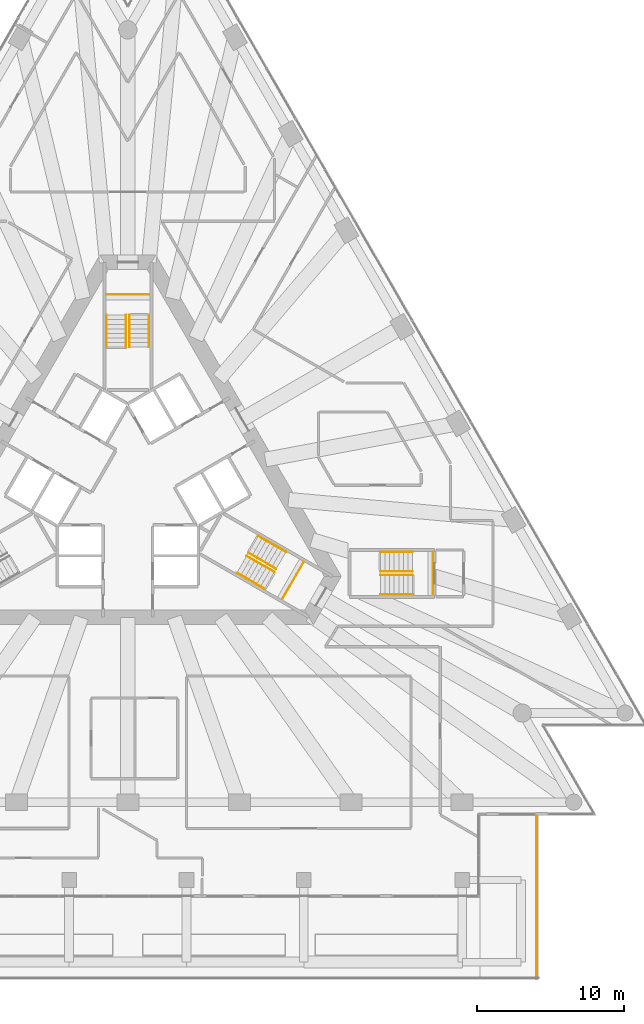
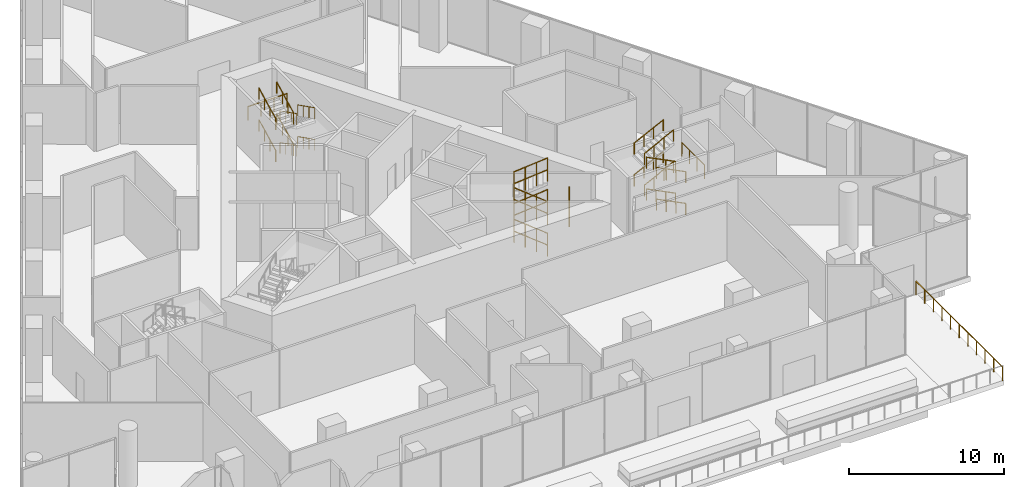
# One storey, part 32 of 32: 28 railings, 3 elements without a shape of their own.
"""IFC4 building model written with IfcOpenShell, lengths in metres."""

from ifc_helpers import new_model, si_unit, direction, frame, origin, origin_2d, place, context, subcontext, project, spatial, circle, extrude, material, type_object, element, aggregate, save


model = new_model("IFC4")

# Units and contexts
model_context = context("Model", 3, precision=1e-05, world=origin(), true_north=direction((0.0, 1.0)))
body_context = subcontext(model_context, "Body", "Model", "MODEL_VIEW")
ifc_project = project(units=[si_unit("LENGTHUNIT", "METRE"), si_unit("AREAUNIT", "SQUARE_METRE"), si_unit("VOLUMEUNIT", "CUBIC_METRE"), si_unit("PLANEANGLEUNIT", "RADIAN"), si_unit("MASSUNIT", "GRAM", prefix="KILO")], contexts=[model_context])

# Site, building, storey
site_placement = place(None, origin())
site = spatial("IfcSite", under=ifc_project, at=site_placement, CompositionType="ELEMENT")
building_placement = place(site_placement, origin())
building = spatial("IfcBuilding", under=site, at=building_placement, Name="Triada Interchange Tower", CompositionType="ELEMENT")
storey_placement = place(building_placement, frame((0.0, 0.0, 25.300048828125)))
storey = spatial("IfcBuildingStorey", under=building, at=storey_placement, Name="L04", CompositionType="ELEMENT", Elevation=25.300048828125)

# Stair, railing
ifc_material_1 = material(Name="Concrete C35/45", Category="concrete")
stair_type = type_object("IfcStairType", Name="HALF TURN STAIR 1400", PredefinedType="HALF_TURN_STAIR", material=ifc_material_1)
stair_1_placement = place(storey_placement, origin())
stair_1 = element("IfcStair", 1, at=stair_1_placement, inside=storey, type_object=stair_type, Name="Exit stair S04-1", PredefinedType="HALF_TURN_STAIR")
ifc_material_2 = material(Name="Stainless steel 1.4301", Category="steel")
railing_type_1 = type_object("IfcRailingType", Name="STAIR GUARD 1100", PredefinedType="GUARDRAIL", material=ifc_material_2)
railing_1_placement = place(storey_placement, frame((1.449951171875, 13.0, 2.5)))
railing_1 = element("IfcRailing", 2, at=railing_1_placement, type_object=railing_type_1, Name="Guard S04-1 1", PredefinedType="GUARDRAIL", context=body_context, shape_type="SweptSolid", body=[
    extrude(circle(Radius=0.02392578125, at=origin_2d()), frame((0.0, 0.0, 1.076171875), z_axis=(-1.0, 0.0, 0.0), x_axis=(0.0, -1.0, 0.0)), (0.0, 0.0, 1.0), 2.89990234375),
    extrude(circle(Radius=0.02099609375, at=origin_2d()), origin(), (0.0, 0.0, 1.0), 1.052001953125),
    extrude(circle(Radius=0.02099609375, at=origin_2d()), frame((-0.966552734375, 0.0, 0.0)), (0.0, 0.0, 1.0), 1.052001953125),
    extrude(circle(Radius=0.02099609375, at=origin_2d()), frame((-1.933349609375, 0.0, 0.0)), (0.0, 0.0, 1.0), 1.052001953125),
    extrude(circle(Radius=0.02099609375, at=origin_2d()), frame((-2.89990234375, 0.0, 0.0)), (0.0, 0.0, 1.0), 1.052001953125),
])

stair_2_placement = place(storey_placement, origin())
stair_2 = element("IfcStair", 3, at=stair_2_placement, inside=storey, type_object=stair_type, Name="Exit stair S04-3", PredefinedType="HALF_TURN_STAIR")
railing_2_placement = place(storey_placement, frame((10.532958984375, -7.756103515625, 2.5)))
railing_2 = element("IfcRailing", 4, at=railing_2_placement, type_object=railing_type_1, Name="Guard S04-3 1", PredefinedType="GUARDRAIL", context=body_context, shape_type="SweptSolid", body=[
    extrude(circle(Radius=0.02392578125, at=origin_2d()), frame((0.0, 0.0, 1.076171875), z_axis=(0.499877891294, 0.866095891802, 0.0), x_axis=(-0.866095891802, 0.499877891294, 0.0)), (0.0, 0.0, 1.0), 2.900634765625),
    extrude(circle(Radius=0.02099609375, at=origin_2d()), origin(), (0.0, 0.0, 1.0), 1.052001953125),
    extrude(circle(Radius=0.02099609375, at=origin_2d()), frame((0.4833984375, 0.83740234375, 0.0)), (0.0, 0.0, 1.0), 1.052001953125),
    extrude(circle(Radius=0.02099609375, at=origin_2d()), frame((0.966552734375, 1.6748046875, 0.0)), (0.0, 0.0, 1.0), 1.052001953125),
    extrude(circle(Radius=0.02099609375, at=origin_2d()), frame((1.449951171875, 2.51220703125, 0.0)), (0.0, 0.0, 1.0), 1.052001953125),
])

stair_3_placement = place(storey_placement, origin())
stair_3 = element("IfcStair", 5, at=stair_3_placement, inside=storey, type_object=stair_type, Name="Exit stair S04-7", PredefinedType="HALF_TURN_STAIR")
railing_3_placement = place(storey_placement, frame((20.800048828125, -7.449951171875, 2.5)))
railing_3 = element("IfcRailing", 6, at=railing_3_placement, type_object=railing_type_1, Name="Guard S04-7 1", PredefinedType="GUARDRAIL", context=body_context, shape_type="SweptSolid", body=[
    extrude(circle(Radius=0.02392578125, at=origin_2d()), frame((0.0, 0.0, 1.076171875), z_axis=(0.0, 1.0, 0.0), x_axis=(-1.0, 0.0, 0.0)), (0.0, 0.0, 1.0), 2.89990234375),
    extrude(circle(Radius=0.02099609375, at=origin_2d()), origin(), (0.0, 0.0, 1.0), 1.052001953125),
    extrude(circle(Radius=0.02099609375, at=origin_2d()), frame((0.0, 0.966552734375, 0.0)), (0.0, 0.0, 1.0), 1.052001953125),
    extrude(circle(Radius=0.02099609375, at=origin_2d()), frame((0.0, 1.933349609375, 0.0)), (0.0, 0.0, 1.0), 1.052001953125),
    extrude(circle(Radius=0.02099609375, at=origin_2d()), frame((0.0, 2.89990234375, 0.0)), (0.0, 0.0, 1.0), 1.052001953125),
])

# Railing
railing_type_2 = type_object("IfcRailingType", Name="STAIR HANDRAIL 900", PredefinedType="HANDRAIL", material=ifc_material_2)
railing_4_placement = place(storey_placement, frame((1.449951171875, 11.60009765625, 0.15625)))
railing_4 = element("IfcRailing", 7, at=railing_4_placement, type_object=railing_type_2, Name="Handrail S04-1 1W", PredefinedType="HANDRAIL", context=body_context, shape_type="SweptSolid", body=[
    extrude(circle(Radius=0.02392578125, at=origin_2d()), frame((0.0, 0.0, 0.8759765625), z_axis=(0.0, -0.892996097098, 0.450064407132), x_axis=(1.0, 0.0, 0.0)), (0.0, 0.0, 1.0), 2.43017578125),
    extrude(circle(Radius=0.02099609375, at=origin_2d()), origin(), (0.0, 0.0, 1.0), 0.851806640625),
    extrude(circle(Radius=0.02099609375, at=origin_2d()), frame((0.0, -0.723388671875, 0.364501953125)), (0.0, 0.0, 1.0), 0.851806640625),
    extrude(circle(Radius=0.02099609375, at=origin_2d()), frame((0.0, -1.44677734375, 0.729248046875)), (0.0, 0.0, 1.0), 0.851806640625),
    extrude(circle(Radius=0.02099609375, at=origin_2d()), frame((0.0, -2.170166015625, 1.09375)), (0.0, 0.0, 1.0), 0.851806640625),
])

railing_5_placement = place(storey_placement, frame((0.1201171875, 11.60009765625, 0.15625)))
railing_5 = element("IfcRailing", 8, at=railing_5_placement, type_object=railing_type_2, Name="Handrail S04-1 1C", PredefinedType="HANDRAIL", context=body_context, shape_type="SweptSolid", body=[
    extrude(circle(Radius=0.02392578125, at=origin_2d()), frame((0.0, 0.0, 0.8759765625), z_axis=(0.0, -0.892996097098, 0.450064407132), x_axis=(1.0, 0.0, 0.0)), (0.0, 0.0, 1.0), 2.43017578125),
    extrude(circle(Radius=0.02099609375, at=origin_2d()), origin(), (0.0, 0.0, 1.0), 0.851806640625),
    extrude(circle(Radius=0.02099609375, at=origin_2d()), frame((0.0, -0.723388671875, 0.364501953125)), (0.0, 0.0, 1.0), 0.851806640625),
    extrude(circle(Radius=0.02099609375, at=origin_2d()), frame((0.0, -1.44677734375, 0.729248046875)), (0.0, 0.0, 1.0), 0.851806640625),
    extrude(circle(Radius=0.02099609375, at=origin_2d()), frame((0.0, -2.170166015625, 1.09375)), (0.0, 0.0, 1.0), 0.851806640625),
])

railing_6_placement = place(storey_placement, frame((-1.449951171875, 9.429931640625, 1.40625)))
railing_6 = element("IfcRailing", 9, at=railing_6_placement, type_object=railing_type_2, Name="Handrail S04-1 2W", PredefinedType="HANDRAIL", context=body_context, shape_type="SweptSolid", body=[
    extrude(circle(Radius=0.02392578125, at=origin_2d()), frame((0.0, 0.0, 0.8759765625), z_axis=(0.0, 0.892996097098, 0.450064407132), x_axis=(-1.0, 0.0, 0.0)), (0.0, 0.0, 1.0), 2.43017578125),
    extrude(circle(Radius=0.02099609375, at=origin_2d()), origin(), (0.0, 0.0, 1.0), 0.851806640625),
    extrude(circle(Radius=0.02099609375, at=origin_2d()), frame((0.0, 0.723388671875, 0.364501953125)), (0.0, 0.0, 1.0), 0.851806640625),
    extrude(circle(Radius=0.02099609375, at=origin_2d()), frame((0.0, 1.44677734375, 0.729248046875)), (0.0, 0.0, 1.0), 0.851806640625),
    extrude(circle(Radius=0.02099609375, at=origin_2d()), frame((0.0, 2.170166015625, 1.09375)), (0.0, 0.0, 1.0), 0.851806640625),
])

railing_7_placement = place(storey_placement, frame((-0.1201171875, 9.429931640625, 1.40625)))
railing_7 = element("IfcRailing", 10, at=railing_7_placement, type_object=railing_type_2, Name="Handrail S04-1 2C", PredefinedType="HANDRAIL", context=body_context, shape_type="SweptSolid", body=[
    extrude(circle(Radius=0.02392578125, at=origin_2d()), frame((0.0, 0.0, 0.8759765625), z_axis=(0.0, 0.892996097098, 0.450064407132), x_axis=(-1.0, 0.0, 0.0)), (0.0, 0.0, 1.0), 2.43017578125),
    extrude(circle(Radius=0.02099609375, at=origin_2d()), origin(), (0.0, 0.0, 1.0), 0.851806640625),
    extrude(circle(Radius=0.02099609375, at=origin_2d()), frame((0.0, 0.723388671875, 0.364501953125)), (0.0, 0.0, 1.0), 0.851806640625),
    extrude(circle(Radius=0.02099609375, at=origin_2d()), frame((0.0, 1.44677734375, 0.729248046875)), (0.0, 0.0, 1.0), 0.851806640625),
    extrude(circle(Radius=0.02099609375, at=origin_2d()), frame((0.0, 2.170166015625, 1.09375)), (0.0, 0.0, 1.0), 0.851806640625),
])

railing_8_placement = place(storey_placement, frame((1.449951171875, 11.60009765625, 2.65625)))
railing_8 = element("IfcRailing", 11, at=railing_8_placement, type_object=railing_type_2, Name="Handrail S04-1 3W", PredefinedType="HANDRAIL", context=body_context, shape_type="SweptSolid", body=[
    extrude(circle(Radius=0.02392578125, at=origin_2d()), frame((0.0, 0.0, 0.8759765625), z_axis=(0.0, -0.892996097098, 0.450064407132), x_axis=(1.0, 0.0, 0.0)), (0.0, 0.0, 1.0), 2.43017578125),
    extrude(circle(Radius=0.02099609375, at=origin_2d()), origin(), (0.0, 0.0, 1.0), 0.851806640625),
    extrude(circle(Radius=0.02099609375, at=origin_2d()), frame((0.0, -0.723388671875, 0.364501953125)), (0.0, 0.0, 1.0), 0.851806640625),
    extrude(circle(Radius=0.02099609375, at=origin_2d()), frame((0.0, -1.44677734375, 0.729248046875)), (0.0, 0.0, 1.0), 0.851806640625),
    extrude(circle(Radius=0.02099609375, at=origin_2d()), frame((0.0, -2.170166015625, 1.09375)), (0.0, 0.0, 1.0), 0.851806640625),
])

railing_9_placement = place(storey_placement, frame((0.1201171875, 11.60009765625, 2.65625)))
railing_9 = element("IfcRailing", 12, at=railing_9_placement, type_object=railing_type_2, Name="Handrail S04-1 3C", PredefinedType="HANDRAIL", context=body_context, shape_type="SweptSolid", body=[
    extrude(circle(Radius=0.02392578125, at=origin_2d()), frame((0.0, 0.0, 0.8759765625), z_axis=(0.0, -0.892996097098, 0.450064407132), x_axis=(1.0, 0.0, 0.0)), (0.0, 0.0, 1.0), 2.43017578125),
    extrude(circle(Radius=0.02099609375, at=origin_2d()), origin(), (0.0, 0.0, 1.0), 0.851806640625),
    extrude(circle(Radius=0.02099609375, at=origin_2d()), frame((0.0, -0.723388671875, 0.364501953125)), (0.0, 0.0, 1.0), 0.851806640625),
    extrude(circle(Radius=0.02099609375, at=origin_2d()), frame((0.0, -1.44677734375, 0.729248046875)), (0.0, 0.0, 1.0), 0.851806640625),
    extrude(circle(Radius=0.02099609375, at=origin_2d()), frame((0.0, -2.170166015625, 1.09375)), (0.0, 0.0, 1.0), 0.851806640625),
])

railing_10_placement = place(storey_placement, frame((-1.449951171875, 9.429931640625, 3.90625)))
railing_10 = element("IfcRailing", 13, at=railing_10_placement, type_object=railing_type_2, Name="Handrail S04-1 4W", PredefinedType="HANDRAIL", context=body_context, shape_type="SweptSolid", body=[
    extrude(circle(Radius=0.02392578125, at=origin_2d()), frame((0.0, 0.0, 0.8759765625), z_axis=(0.0, 0.892996097098, 0.450064407132), x_axis=(-1.0, 0.0, 0.0)), (0.0, 0.0, 1.0), 2.43017578125),
    extrude(circle(Radius=0.02099609375, at=origin_2d()), origin(), (0.0, 0.0, 1.0), 0.851806640625),
    extrude(circle(Radius=0.02099609375, at=origin_2d()), frame((0.0, 0.723388671875, 0.364501953125)), (0.0, 0.0, 1.0), 0.851806640625),
    extrude(circle(Radius=0.02099609375, at=origin_2d()), frame((0.0, 1.44677734375, 0.729248046875)), (0.0, 0.0, 1.0), 0.851806640625),
    extrude(circle(Radius=0.02099609375, at=origin_2d()), frame((0.0, 2.170166015625, 1.09375)), (0.0, 0.0, 1.0), 0.851806640625),
])

railing_11_placement = place(storey_placement, frame((-0.1201171875, 9.429931640625, 3.90625)))
railing_11 = element("IfcRailing", 14, at=railing_11_placement, type_object=railing_type_2, Name="Handrail S04-1 4C", PredefinedType="HANDRAIL", context=body_context, shape_type="SweptSolid", body=[
    extrude(circle(Radius=0.02392578125, at=origin_2d()), frame((0.0, 0.0, 0.8759765625), z_axis=(0.0, 0.892996097098, 0.450064407132), x_axis=(-1.0, 0.0, 0.0)), (0.0, 0.0, 1.0), 2.43017578125),
    extrude(circle(Radius=0.02099609375, at=origin_2d()), origin(), (0.0, 0.0, 1.0), 0.851806640625),
    extrude(circle(Radius=0.02099609375, at=origin_2d()), frame((0.0, 0.723388671875, 0.364501953125)), (0.0, 0.0, 1.0), 0.851806640625),
    extrude(circle(Radius=0.02099609375, at=origin_2d()), frame((0.0, 1.44677734375, 0.729248046875)), (0.0, 0.0, 1.0), 0.851806640625),
    extrude(circle(Radius=0.02099609375, at=origin_2d()), frame((0.0, 2.170166015625, 1.09375)), (0.0, 0.0, 1.0), 0.851806640625),
])

aggregate(stair_1, [railing_4, railing_5, railing_6, railing_7, railing_8, railing_9, railing_10, railing_11, railing_1])

railing_12_placement = place(storey_placement, frame((9.321044921875, -7.055908203125, 0.15625)))
railing_12 = element("IfcRailing", 15, at=railing_12_placement, type_object=railing_type_2, Name="Handrail S04-3 1W", PredefinedType="HANDRAIL", context=body_context, shape_type="SweptSolid", body=[
    extrude(circle(Radius=0.02392578125, at=origin_2d()), frame((0.0, 0.0, 0.8759765625), z_axis=(-0.773330238877, 0.446495983055, 0.450112962215), x_axis=(-0.500011390128, -0.866018827591, 0.0)), (0.0, 0.0, 1.0), 2.429931640625),
    extrude(circle(Radius=0.02099609375, at=origin_2d()), origin(), (0.0, 0.0, 1.0), 0.851806640625),
    extrude(circle(Radius=0.02099609375, at=origin_2d()), frame((-0.62646484375, 0.361572265625, 0.364501953125)), (0.0, 0.0, 1.0), 0.851806640625),
    extrude(circle(Radius=0.02099609375, at=origin_2d()), frame((-1.252685546875, 0.723388671875, 0.729248046875)), (0.0, 0.0, 1.0), 0.851806640625),
    extrude(circle(Radius=0.02099609375, at=origin_2d()), frame((-1.879150390625, 1.0849609375, 1.09375)), (0.0, 0.0, 1.0), 0.851806640625),
])

railing_13_placement = place(storey_placement, frame((9.986083984375, -5.904052734375, 0.15625)))
railing_13 = element("IfcRailing", 16, at=railing_13_placement, type_object=railing_type_2, Name="Handrail S04-3 1C", PredefinedType="HANDRAIL", context=body_context, shape_type="SweptSolid", body=[
    extrude(circle(Radius=0.02392578125, at=origin_2d()), frame((0.0, 0.0, 0.8759765625), z_axis=(-0.773330238877, 0.446495983055, 0.450112962215), x_axis=(-0.500011390128, -0.866018827591, 0.0)), (0.0, 0.0, 1.0), 2.429931640625),
    extrude(circle(Radius=0.02099609375, at=origin_2d()), origin(), (0.0, 0.0, 1.0), 0.851806640625),
    extrude(circle(Radius=0.02099609375, at=origin_2d()), frame((-0.62646484375, 0.361572265625, 0.364501953125)), (0.0, 0.0, 1.0), 0.851806640625),
    extrude(circle(Radius=0.02099609375, at=origin_2d()), frame((-1.252685546875, 0.723388671875, 0.729248046875)), (0.0, 0.0, 1.0), 0.851806640625),
    extrude(circle(Radius=0.02099609375, at=origin_2d()), frame((-1.879150390625, 1.0849609375, 1.09375)), (0.0, 0.0, 1.0), 0.851806640625),
])

railing_14_placement = place(storey_placement, frame((8.89208984375, -3.458984375, 1.40625)))
railing_14 = element("IfcRailing", 17, at=railing_14_placement, type_object=railing_type_2, Name="Handrail S04-3 2W", PredefinedType="HANDRAIL", context=body_context, shape_type="SweptSolid", body=[
    extrude(circle(Radius=0.02392578125, at=origin_2d()), frame((0.0, 0.0, 0.8759765625), z_axis=(0.773289848554, -0.446530676582, 0.450147936788), x_axis=(0.500060114735, 0.865990693744, 0.0)), (0.0, 0.0, 1.0), 2.4296875),
    extrude(circle(Radius=0.02099609375, at=origin_2d()), origin(), (0.0, 0.0, 1.0), 0.851806640625),
    extrude(circle(Radius=0.02099609375, at=origin_2d()), frame((0.626220703125, -0.361572265625, 0.364501953125)), (0.0, 0.0, 1.0), 0.851806640625),
    extrude(circle(Radius=0.02099609375, at=origin_2d()), frame((1.252685546875, -0.723388671875, 0.729248046875)), (0.0, 0.0, 1.0), 0.851806640625),
    extrude(circle(Radius=0.02099609375, at=origin_2d()), frame((1.87890625, -1.0849609375, 1.09375)), (0.0, 0.0, 1.0), 0.851806640625),
])

railing_15_placement = place(storey_placement, frame((8.22705078125, -4.611083984375, 1.40625)))
railing_15 = element("IfcRailing", 18, at=railing_15_placement, type_object=railing_type_2, Name="Handrail S04-3 2C", PredefinedType="HANDRAIL", context=body_context, shape_type="SweptSolid", body=[
    extrude(circle(Radius=0.02392578125, at=origin_2d()), frame((0.0, 0.0, 0.8759765625), z_axis=(0.773289848554, -0.446530676582, 0.450147936788), x_axis=(0.500060114735, 0.865990693744, 0.0)), (0.0, 0.0, 1.0), 2.4296875),
    extrude(circle(Radius=0.02099609375, at=origin_2d()), origin(), (0.0, 0.0, 1.0), 0.851806640625),
    extrude(circle(Radius=0.02099609375, at=origin_2d()), frame((0.626220703125, -0.361572265625, 0.364501953125)), (0.0, 0.0, 1.0), 0.851806640625),
    extrude(circle(Radius=0.02099609375, at=origin_2d()), frame((1.252685546875, -0.723388671875, 0.729248046875)), (0.0, 0.0, 1.0), 0.851806640625),
    extrude(circle(Radius=0.02099609375, at=origin_2d()), frame((1.87890625, -1.0849609375, 1.09375)), (0.0, 0.0, 1.0), 0.851806640625),
])

railing_16_placement = place(storey_placement, frame((9.321044921875, -7.055908203125, 2.65625)))
railing_16 = element("IfcRailing", 19, at=railing_16_placement, type_object=railing_type_2, Name="Handrail S04-3 3W", PredefinedType="HANDRAIL", context=body_context, shape_type="SweptSolid", body=[
    extrude(circle(Radius=0.02392578125, at=origin_2d()), frame((0.0, 0.0, 0.8759765625), z_axis=(-0.773330238877, 0.446495983055, 0.450112962215), x_axis=(-0.500011390128, -0.866018827591, 0.0)), (0.0, 0.0, 1.0), 2.429931640625),
    extrude(circle(Radius=0.02099609375, at=origin_2d()), origin(), (0.0, 0.0, 1.0), 0.851806640625),
    extrude(circle(Radius=0.02099609375, at=origin_2d()), frame((-0.62646484375, 0.361572265625, 0.364501953125)), (0.0, 0.0, 1.0), 0.851806640625),
    extrude(circle(Radius=0.02099609375, at=origin_2d()), frame((-1.252685546875, 0.723388671875, 0.729248046875)), (0.0, 0.0, 1.0), 0.851806640625),
    extrude(circle(Radius=0.02099609375, at=origin_2d()), frame((-1.879150390625, 1.0849609375, 1.09375)), (0.0, 0.0, 1.0), 0.851806640625),
])

railing_17_placement = place(storey_placement, frame((9.986083984375, -5.904052734375, 2.65625)))
railing_17 = element("IfcRailing", 20, at=railing_17_placement, type_object=railing_type_2, Name="Handrail S04-3 3C", PredefinedType="HANDRAIL", context=body_context, shape_type="SweptSolid", body=[
    extrude(circle(Radius=0.02392578125, at=origin_2d()), frame((0.0, 0.0, 0.8759765625), z_axis=(-0.773330238877, 0.446495983055, 0.450112962215), x_axis=(-0.500011390128, -0.866018827591, 0.0)), (0.0, 0.0, 1.0), 2.429931640625),
    extrude(circle(Radius=0.02099609375, at=origin_2d()), origin(), (0.0, 0.0, 1.0), 0.851806640625),
    extrude(circle(Radius=0.02099609375, at=origin_2d()), frame((-0.62646484375, 0.361572265625, 0.364501953125)), (0.0, 0.0, 1.0), 0.851806640625),
    extrude(circle(Radius=0.02099609375, at=origin_2d()), frame((-1.252685546875, 0.723388671875, 0.729248046875)), (0.0, 0.0, 1.0), 0.851806640625),
    extrude(circle(Radius=0.02099609375, at=origin_2d()), frame((-1.879150390625, 1.0849609375, 1.09375)), (0.0, 0.0, 1.0), 0.851806640625),
])

railing_18_placement = place(storey_placement, frame((8.89208984375, -3.458984375, 3.90625)))
railing_18 = element("IfcRailing", 21, at=railing_18_placement, type_object=railing_type_2, Name="Handrail S04-3 4W", PredefinedType="HANDRAIL", context=body_context, shape_type="SweptSolid", body=[
    extrude(circle(Radius=0.02392578125, at=origin_2d()), frame((0.0, 0.0, 0.8759765625), z_axis=(0.773289848554, -0.446530676582, 0.450147936788), x_axis=(0.500060114735, 0.865990693744, 0.0)), (0.0, 0.0, 1.0), 2.4296875),
    extrude(circle(Radius=0.02099609375, at=origin_2d()), origin(), (0.0, 0.0, 1.0), 0.851806640625),
    extrude(circle(Radius=0.02099609375, at=origin_2d()), frame((0.626220703125, -0.361572265625, 0.364501953125)), (0.0, 0.0, 1.0), 0.851806640625),
    extrude(circle(Radius=0.02099609375, at=origin_2d()), frame((1.252685546875, -0.723388671875, 0.729248046875)), (0.0, 0.0, 1.0), 0.851806640625),
    extrude(circle(Radius=0.02099609375, at=origin_2d()), frame((1.87890625, -1.0849609375, 1.09375)), (0.0, 0.0, 1.0), 0.851806640625),
])

railing_19_placement = place(storey_placement, frame((8.22705078125, -4.611083984375, 3.90625)))
railing_19 = element("IfcRailing", 22, at=railing_19_placement, type_object=railing_type_2, Name="Handrail S04-3 4C", PredefinedType="HANDRAIL", context=body_context, shape_type="SweptSolid", body=[
    extrude(circle(Radius=0.02392578125, at=origin_2d()), frame((0.0, 0.0, 0.8759765625), z_axis=(0.773289848554, -0.446530676582, 0.450147936788), x_axis=(0.500060114735, 0.865990693744, 0.0)), (0.0, 0.0, 1.0), 2.4296875),
    extrude(circle(Radius=0.02099609375, at=origin_2d()), origin(), (0.0, 0.0, 1.0), 0.851806640625),
    extrude(circle(Radius=0.02099609375, at=origin_2d()), frame((0.626220703125, -0.361572265625, 0.364501953125)), (0.0, 0.0, 1.0), 0.851806640625),
    extrude(circle(Radius=0.02099609375, at=origin_2d()), frame((1.252685546875, -0.723388671875, 0.729248046875)), (0.0, 0.0, 1.0), 0.851806640625),
    extrude(circle(Radius=0.02099609375, at=origin_2d()), frame((1.87890625, -1.0849609375, 1.09375)), (0.0, 0.0, 1.0), 0.851806640625),
])

aggregate(stair_2, [railing_12, railing_13, railing_14, railing_15, railing_16, railing_17, railing_18, railing_19, railing_2])

railing_20_placement = place(storey_placement, frame((19.39990234375, -7.449951171875, 0.15625)))
railing_20 = element("IfcRailing", 23, at=railing_20_placement, type_object=railing_type_2, Name="Handrail S04-7 1W", PredefinedType="HANDRAIL", context=body_context, shape_type="SweptSolid", body=[
    extrude(circle(Radius=0.02392578125, at=origin_2d()), frame((0.0, 0.0, 0.8759765625), z_axis=(-0.892975745223, 0.0, 0.450104786071), x_axis=(0.0, -1.0, 0.0)), (0.0, 0.0, 1.0), 2.429931640625),
    extrude(circle(Radius=0.02099609375, at=origin_2d()), origin(), (0.0, 0.0, 1.0), 0.851806640625),
    extrude(circle(Radius=0.02099609375, at=origin_2d()), frame((-0.723388671875, 0.0, 0.364501953125)), (0.0, 0.0, 1.0), 0.851806640625),
    extrude(circle(Radius=0.02099609375, at=origin_2d()), frame((-1.446533203125, 0.0, 0.729248046875)), (0.0, 0.0, 1.0), 0.851806640625),
    extrude(circle(Radius=0.02099609375, at=origin_2d()), frame((-2.169921875, 0.0, 1.09375)), (0.0, 0.0, 1.0), 0.851806640625),
])

railing_21_placement = place(storey_placement, frame((19.39990234375, -6.1201171875, 0.15625)))
railing_21 = element("IfcRailing", 24, at=railing_21_placement, type_object=railing_type_2, Name="Handrail S04-7 1C", PredefinedType="HANDRAIL", context=body_context, shape_type="SweptSolid", body=[
    extrude(circle(Radius=0.02392578125, at=origin_2d()), frame((0.0, 0.0, 0.8759765625), z_axis=(-0.892975745223, 0.0, 0.450104786071), x_axis=(0.0, -1.0, 0.0)), (0.0, 0.0, 1.0), 2.429931640625),
    extrude(circle(Radius=0.02099609375, at=origin_2d()), origin(), (0.0, 0.0, 1.0), 0.851806640625),
    extrude(circle(Radius=0.02099609375, at=origin_2d()), frame((-0.723388671875, 0.0, 0.364501953125)), (0.0, 0.0, 1.0), 0.851806640625),
    extrude(circle(Radius=0.02099609375, at=origin_2d()), frame((-1.446533203125, 0.0, 0.729248046875)), (0.0, 0.0, 1.0), 0.851806640625),
    extrude(circle(Radius=0.02099609375, at=origin_2d()), frame((-2.169921875, 0.0, 1.09375)), (0.0, 0.0, 1.0), 0.851806640625),
])

railing_22_placement = place(storey_placement, frame((17.22998046875, -4.550048828125, 1.40625)))
railing_22 = element("IfcRailing", 25, at=railing_22_placement, type_object=railing_type_2, Name="Handrail S04-7 2W", PredefinedType="HANDRAIL", context=body_context, shape_type="SweptSolid", body=[
    extrude(circle(Radius=0.02392578125, at=origin_2d()), frame((0.0, 0.0, 0.8759765625), z_axis=(0.892975745223, 0.0, 0.450104786071), x_axis=(0.0, 1.0, 0.0)), (0.0, 0.0, 1.0), 2.429931640625),
    extrude(circle(Radius=0.02099609375, at=origin_2d()), origin(), (0.0, 0.0, 1.0), 0.851806640625),
    extrude(circle(Radius=0.02099609375, at=origin_2d()), frame((0.723388671875, 0.0, 0.364501953125)), (0.0, 0.0, 1.0), 0.851806640625),
    extrude(circle(Radius=0.02099609375, at=origin_2d()), frame((1.446533203125, 0.0, 0.729248046875)), (0.0, 0.0, 1.0), 0.851806640625),
    extrude(circle(Radius=0.02099609375, at=origin_2d()), frame((2.169921875, 0.0, 1.09375)), (0.0, 0.0, 1.0), 0.851806640625),
])

railing_23_placement = place(storey_placement, frame((17.22998046875, -5.8798828125, 1.40625)))
railing_23 = element("IfcRailing", 26, at=railing_23_placement, type_object=railing_type_2, Name="Handrail S04-7 2C", PredefinedType="HANDRAIL", context=body_context, shape_type="SweptSolid", body=[
    extrude(circle(Radius=0.02392578125, at=origin_2d()), frame((0.0, 0.0, 0.8759765625), z_axis=(0.892975745223, 0.0, 0.450104786071), x_axis=(0.0, 1.0, 0.0)), (0.0, 0.0, 1.0), 2.429931640625),
    extrude(circle(Radius=0.02099609375, at=origin_2d()), origin(), (0.0, 0.0, 1.0), 0.851806640625),
    extrude(circle(Radius=0.02099609375, at=origin_2d()), frame((0.723388671875, 0.0, 0.364501953125)), (0.0, 0.0, 1.0), 0.851806640625),
    extrude(circle(Radius=0.02099609375, at=origin_2d()), frame((1.446533203125, 0.0, 0.729248046875)), (0.0, 0.0, 1.0), 0.851806640625),
    extrude(circle(Radius=0.02099609375, at=origin_2d()), frame((2.169921875, 0.0, 1.09375)), (0.0, 0.0, 1.0), 0.851806640625),
])

railing_24_placement = place(storey_placement, frame((19.39990234375, -7.449951171875, 2.65625)))
railing_24 = element("IfcRailing", 27, at=railing_24_placement, type_object=railing_type_2, Name="Handrail S04-7 3W", PredefinedType="HANDRAIL", context=body_context, shape_type="SweptSolid", body=[
    extrude(circle(Radius=0.02392578125, at=origin_2d()), frame((0.0, 0.0, 0.8759765625), z_axis=(-0.892975745223, 0.0, 0.450104786071), x_axis=(0.0, -1.0, 0.0)), (0.0, 0.0, 1.0), 2.429931640625),
    extrude(circle(Radius=0.02099609375, at=origin_2d()), origin(), (0.0, 0.0, 1.0), 0.851806640625),
    extrude(circle(Radius=0.02099609375, at=origin_2d()), frame((-0.723388671875, 0.0, 0.364501953125)), (0.0, 0.0, 1.0), 0.851806640625),
    extrude(circle(Radius=0.02099609375, at=origin_2d()), frame((-1.446533203125, 0.0, 0.729248046875)), (0.0, 0.0, 1.0), 0.851806640625),
    extrude(circle(Radius=0.02099609375, at=origin_2d()), frame((-2.169921875, 0.0, 1.09375)), (0.0, 0.0, 1.0), 0.851806640625),
])

railing_25_placement = place(storey_placement, frame((19.39990234375, -6.1201171875, 2.65625)))
railing_25 = element("IfcRailing", 28, at=railing_25_placement, type_object=railing_type_2, Name="Handrail S04-7 3C", PredefinedType="HANDRAIL", context=body_context, shape_type="SweptSolid", body=[
    extrude(circle(Radius=0.02392578125, at=origin_2d()), frame((0.0, 0.0, 0.8759765625), z_axis=(-0.892975745223, 0.0, 0.450104786071), x_axis=(0.0, -1.0, 0.0)), (0.0, 0.0, 1.0), 2.429931640625),
    extrude(circle(Radius=0.02099609375, at=origin_2d()), origin(), (0.0, 0.0, 1.0), 0.851806640625),
    extrude(circle(Radius=0.02099609375, at=origin_2d()), frame((-0.723388671875, 0.0, 0.364501953125)), (0.0, 0.0, 1.0), 0.851806640625),
    extrude(circle(Radius=0.02099609375, at=origin_2d()), frame((-1.446533203125, 0.0, 0.729248046875)), (0.0, 0.0, 1.0), 0.851806640625),
    extrude(circle(Radius=0.02099609375, at=origin_2d()), frame((-2.169921875, 0.0, 1.09375)), (0.0, 0.0, 1.0), 0.851806640625),
])

railing_26_placement = place(storey_placement, frame((17.22998046875, -4.550048828125, 3.90625)))
railing_26 = element("IfcRailing", 29, at=railing_26_placement, type_object=railing_type_2, Name="Handrail S04-7 4W", PredefinedType="HANDRAIL", context=body_context, shape_type="SweptSolid", body=[
    extrude(circle(Radius=0.02392578125, at=origin_2d()), frame((0.0, 0.0, 0.8759765625), z_axis=(0.892975745223, 0.0, 0.450104786071), x_axis=(0.0, 1.0, 0.0)), (0.0, 0.0, 1.0), 2.429931640625),
    extrude(circle(Radius=0.02099609375, at=origin_2d()), origin(), (0.0, 0.0, 1.0), 0.851806640625),
    extrude(circle(Radius=0.02099609375, at=origin_2d()), frame((0.723388671875, 0.0, 0.364501953125)), (0.0, 0.0, 1.0), 0.851806640625),
    extrude(circle(Radius=0.02099609375, at=origin_2d()), frame((1.446533203125, 0.0, 0.729248046875)), (0.0, 0.0, 1.0), 0.851806640625),
    extrude(circle(Radius=0.02099609375, at=origin_2d()), frame((2.169921875, 0.0, 1.09375)), (0.0, 0.0, 1.0), 0.851806640625),
])

railing_27_placement = place(storey_placement, frame((17.22998046875, -5.8798828125, 3.90625)))
railing_27 = element("IfcRailing", 30, at=railing_27_placement, type_object=railing_type_2, Name="Handrail S04-7 4C", PredefinedType="HANDRAIL", context=body_context, shape_type="SweptSolid", body=[
    extrude(circle(Radius=0.02392578125, at=origin_2d()), frame((0.0, 0.0, 0.8759765625), z_axis=(0.892975745223, 0.0, 0.450104786071), x_axis=(0.0, 1.0, 0.0)), (0.0, 0.0, 1.0), 2.429931640625),
    extrude(circle(Radius=0.02099609375, at=origin_2d()), origin(), (0.0, 0.0, 1.0), 0.851806640625),
    extrude(circle(Radius=0.02099609375, at=origin_2d()), frame((0.723388671875, 0.0, 0.364501953125)), (0.0, 0.0, 1.0), 0.851806640625),
    extrude(circle(Radius=0.02099609375, at=origin_2d()), frame((1.446533203125, 0.0, 0.729248046875)), (0.0, 0.0, 1.0), 0.851806640625),
    extrude(circle(Radius=0.02099609375, at=origin_2d()), frame((2.169921875, 0.0, 1.09375)), (0.0, 0.0, 1.0), 0.851806640625),
])

aggregate(stair_3, [railing_20, railing_21, railing_22, railing_23, railing_24, railing_25, railing_26, railing_27, railing_3])

railing_type_3 = type_object("IfcRailingType", Name="Terrace guard 1100", PredefinedType="GUARDRAIL", material=ifc_material_2)
railing_28_placement = place(storey_placement, frame((27.8798828125, -33.699951171875, 0.0)))
element("IfcRailing", 31, at=railing_28_placement, inside=storey, type_object=railing_type_3, Name="Guard L04 terrace 23", PredefinedType="GUARDRAIL", context=body_context, shape_type="SweptSolid", body=[
    extrude(circle(Radius=0.02392578125, at=origin_2d()), frame((0.0, 0.0, 1.076171875), z_axis=(0.0, 1.0, 0.0), x_axis=(-1.0, 0.0, 0.0)), (0.0, 0.0, 1.0), 11.14990234375),
    extrude(circle(Radius=0.02099609375, at=origin_2d()), origin(), (0.0, 0.0, 1.0), 1.052001953125),
    extrude(circle(Radius=0.02099609375, at=origin_2d()), frame((0.0, 1.114990234375, 0.0)), (0.0, 0.0, 1.0), 1.052001953125),
    extrude(circle(Radius=0.02099609375, at=origin_2d()), frame((0.0, 2.22998046875, 0.0)), (0.0, 0.0, 1.0), 1.052001953125),
    extrude(circle(Radius=0.02099609375, at=origin_2d()), frame((0.0, 3.344970703125, 0.0)), (0.0, 0.0, 1.0), 1.052001953125),
    extrude(circle(Radius=0.02099609375, at=origin_2d()), frame((0.0, 4.4599609375, 0.0)), (0.0, 0.0, 1.0), 1.052001953125),
    extrude(circle(Radius=0.02099609375, at=origin_2d()), frame((0.0, 5.574951171875, 0.0)), (0.0, 0.0, 1.0), 1.052001953125),
    extrude(circle(Radius=0.02099609375, at=origin_2d()), frame((0.0, 6.68994140625, 0.0)), (0.0, 0.0, 1.0), 1.052001953125),
    extrude(circle(Radius=0.02099609375, at=origin_2d()), frame((0.0, 7.804931640625, 0.0)), (0.0, 0.0, 1.0), 1.052001953125),
    extrude(circle(Radius=0.02099609375, at=origin_2d()), frame((0.0, 8.919921875, 0.0)), (0.0, 0.0, 1.0), 1.052001953125),
    extrude(circle(Radius=0.02099609375, at=origin_2d()), frame((0.0, 10.034912109375, 0.0)), (0.0, 0.0, 1.0), 1.052001953125),
    extrude(circle(Radius=0.02099609375, at=origin_2d()), frame((0.0, 11.14990234375, 0.0)), (0.0, 0.0, 1.0), 1.052001953125),
])

save(model, "model.ifc")
